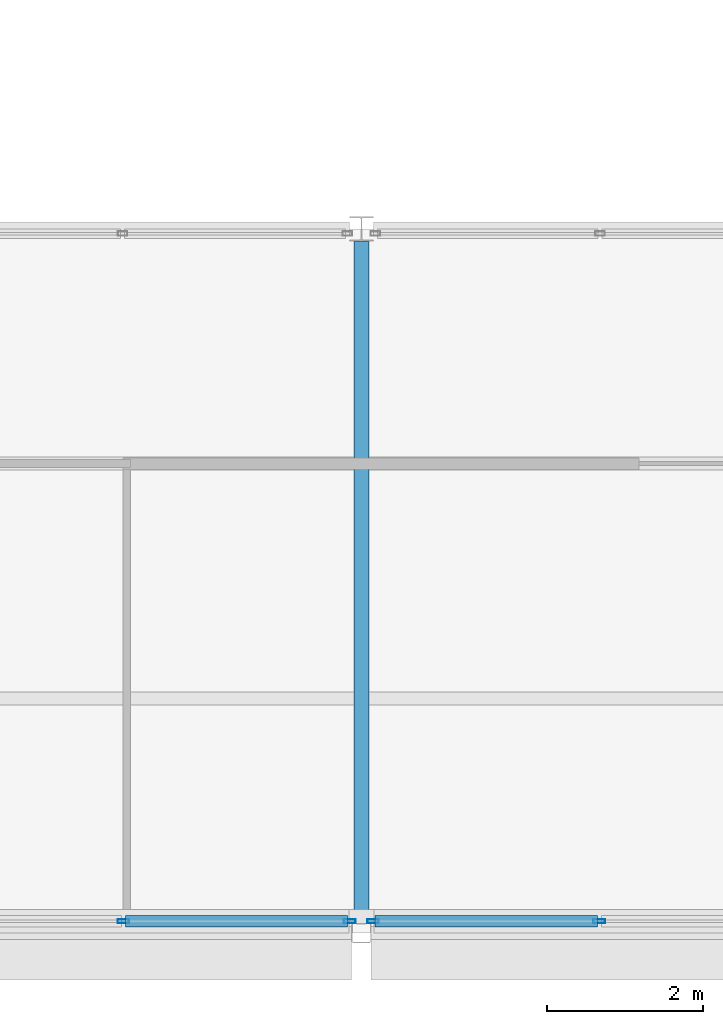
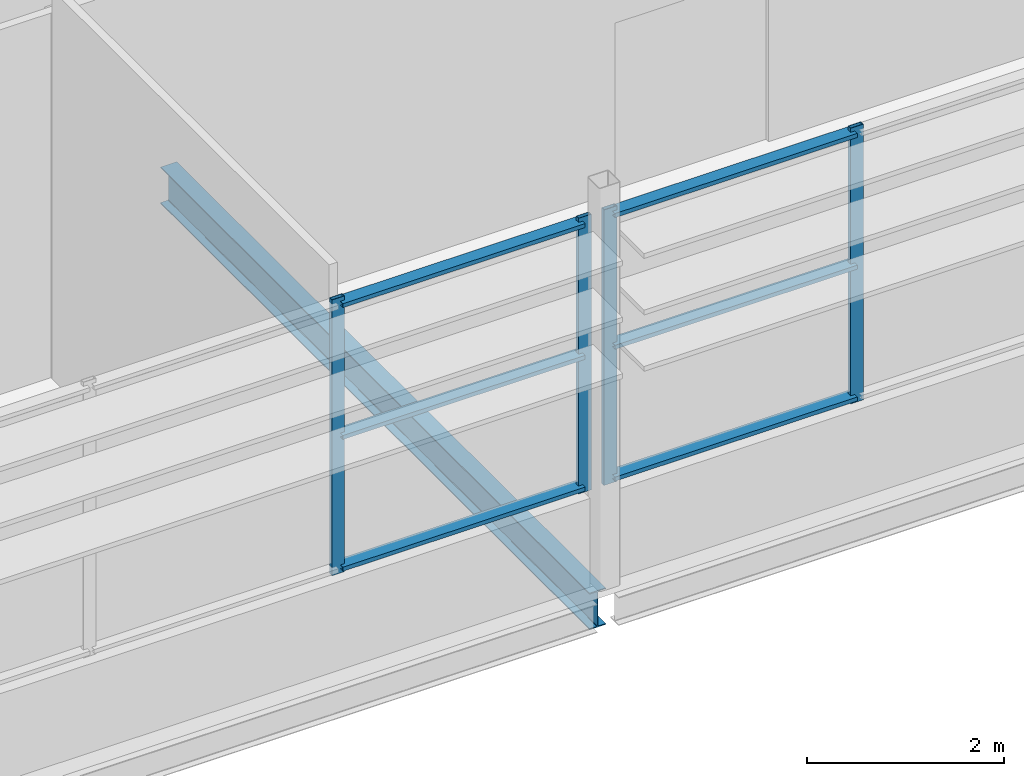
# One storey, part 28 of 61: 10 members, 1 beam, 2 elements without a shape of their own.
"""IFC4 building model written with IfcOpenShell, lengths in metres."""

from ifc_helpers import new_model, si_unit, direction, frame, origin, origin_2d, place, context, subcontext, project, spatial, hollow_rectangle, i_section, extrude, material, layer, layer_set, material_profile, profile_set, type_object, element, aggregate, save


model = new_model("IFC4")

# Units and contexts
model_context = context("Model", 3, precision=1e-05, world=origin(), true_north=direction((0.0, 1.0)))
body_context = subcontext(model_context, "Body", "Model", "MODEL_VIEW")
ifc_project = project(units=[si_unit("LENGTHUNIT", "METRE"), si_unit("AREAUNIT", "SQUARE_METRE"), si_unit("VOLUMEUNIT", "CUBIC_METRE"), si_unit("PLANEANGLEUNIT", "RADIAN"), si_unit("MASSUNIT", "GRAM", prefix="KILO")], contexts=[model_context])

# Site, building, storey
site_placement = place(None, origin())
site = spatial("IfcSite", under=ifc_project, at=site_placement, CompositionType="ELEMENT")
building_placement = place(site_placement, origin())
building = spatial("IfcBuilding", under=site, at=building_placement, Name="Shorebreak Coast Museum", CompositionType="ELEMENT")
storey_placement = place(building_placement, frame((0.0, 0.0, 26.0)))
storey = spatial("IfcBuildingStorey", under=building, at=storey_placement, Name="L04", CompositionType="ELEMENT", Elevation=26.0)

# Beam
ifc_material_1 = material(Name="Steel Grade 300", Category="steel")
ifc_material_profile_1 = material_profile(ifc_material_1, i_section(OverallWidth=0.18994140625, OverallDepth=0.453857421875, WebThickness=0.008544921875, FlangeThickness=0.0126953125, FilletRadius=0.011474609375, at=origin_2d()), Name="460UB67.1")
ifc_profile_set_1 = profile_set([ifc_material_profile_1], Name="Steel Grade 300")
beam_type = type_object("IfcBeamType", Name="Floor girder north-south 460UB67.1", PredefinedType="BEAM", material=ifc_profile_set_1)
beam_placement = place(storey_placement, frame((90.0, 54.125, -0.40185546875), z_axis=(0.0, 1.0, 0.0), x_axis=(-1.0, 0.0, 0.0)))
element("IfcBeam", 1, at=beam_placement, inside=storey, type_object=beam_type, Name="Floor girder north-south L04 11G", PredefinedType="BEAM", context=body_context, shape_type="SweptSolid", body=[
    extrude(i_section(OverallWidth=0.18994140625, OverallDepth=0.453857421875, WebThickness=0.008544921875, FlangeThickness=0.0126953125, FilletRadius=0.011474609375, at=origin_2d()), origin(), (0.0, 0.0, 1.0), 8.714599609375),
])

# Curtain wall, members
ifc_material_2 = material(Name="Aluminium", Category="aluminium")
ifc_layer = layer(ifc_material_2, 0.14990234375)
ifc_layer_set = layer_set([ifc_layer], Name="Aluminium")
curtain_wall_type = type_object("IfcCurtainWallType", Name="Storefront curtain wall", PredefinedType="NOTDEFINED", material=ifc_layer_set)
curtain_wall_1_placement = place(storey_placement, origin())
curtain_wall_1 = element("IfcCurtainWall", 2, at=curtain_wall_1_placement, inside=storey, type_object=curtain_wall_type, Name="Atrium Hall glazing L04 S 6", PredefinedType="NOTDEFINED")
ifc_material_3 = material(Name="Aluminium", Category="aluminium")
ifc_material_profile_2 = material_profile(ifc_material_3, hollow_rectangle(XDim=0.050048828125, YDim=0.14990234375, WallThickness=0.00390625, at=origin_2d()), Name="AL 150x50 RHS")
ifc_profile_set_2 = profile_set([ifc_material_profile_2], Name="Aluminium")
member_type_1 = type_object("IfcMemberType", Name="Storefront mullion 50 x 150", PredefinedType="MULLION", material=ifc_profile_set_2)
member_1_placement = place(storey_placement, frame((86.958251953125, 54.14990234375, 1.10009765625), z_axis=(0.0, 0.0, 1.0), x_axis=(0.0, 1.0, 0.0)))
member_1 = element("IfcMember", 3, at=member_1_placement, type_object=member_type_1, Name="CW5 mullion 3", PredefinedType="MULLION", context=body_context, shape_type="SweptSolid", body=[
    extrude(hollow_rectangle(XDim=0.050048828125, YDim=0.14990234375, WallThickness=0.00390625, at=origin_2d()), origin(), (0.0, 0.0, 1.0), 3.417724609375),
])
member_2_placement = place(storey_placement, frame((89.85009765625, 54.14990234375, 1.10009765625), z_axis=(0.0, 0.0, 1.0), x_axis=(0.0, 1.0, 0.0)))
member_2 = element("IfcMember", 4, at=member_2_placement, type_object=member_type_1, Name="CW5 mullion 4", PredefinedType="MULLION", context=body_context, shape_type="SweptSolid", body=[
    extrude(hollow_rectangle(XDim=0.050048828125, YDim=0.14990234375, WallThickness=0.00390625, at=origin_2d()), origin(), (0.0, 0.0, 1.0), 3.417724609375),
])

curtain_wall_2_placement = place(storey_placement, origin())
curtain_wall_2 = element("IfcCurtainWall", 5, at=curtain_wall_2_placement, inside=storey, type_object=curtain_wall_type, Name="Atrium Hall glazing L04 S 7", PredefinedType="NOTDEFINED")
member_3_placement = place(storey_placement, frame((90.14990234375, 54.14990234375, 1.10009765625), z_axis=(0.0, 0.0, 1.0), x_axis=(0.0, 1.0, 0.0)))
member_3 = element("IfcMember", 6, at=member_3_placement, type_object=member_type_1, Name="CW5 mullion 1", PredefinedType="MULLION", context=body_context, shape_type="SweptSolid", body=[
    extrude(hollow_rectangle(XDim=0.050048828125, YDim=0.14990234375, WallThickness=0.00390625, at=origin_2d()), origin(), (0.0, 0.0, 1.0), 3.417724609375),
])
member_4_placement = place(storey_placement, frame((93.041748046875, 54.14990234375, 1.10009765625), z_axis=(0.0, 0.0, 1.0), x_axis=(0.0, 1.0, 0.0)))
member_4 = element("IfcMember", 7, at=member_4_placement, type_object=member_type_1, Name="CW5 mullion 2", PredefinedType="MULLION", context=body_context, shape_type="SweptSolid", body=[
    extrude(hollow_rectangle(XDim=0.050048828125, YDim=0.14990234375, WallThickness=0.00390625, at=origin_2d()), origin(), (0.0, 0.0, 1.0), 3.417724609375),
])

# Member
ifc_material_4 = material(Name="Aluminium", Category="aluminium")
ifc_material_profile_3 = material_profile(ifc_material_4, hollow_rectangle(XDim=0.14990234375, YDim=0.050048828125, WallThickness=0.00390625, at=origin_2d()), Name="AL 50x150 RHS")
ifc_profile_set_3 = profile_set([ifc_material_profile_3], Name="Aluminium")
member_type_2 = type_object("IfcMemberType", Name="Storefront transom 150 x 50", PredefinedType="USERDEFINED", material=ifc_profile_set_3)
member_5_placement = place(storey_placement, frame((86.9833984375, 54.14990234375, 1.175048828125), z_axis=(1.0, 0.0, 0.0), x_axis=(0.0, 1.0, 0.0)))
member_5 = element("IfcMember", 8, at=member_5_placement, type_object=member_type_2, Name="CW5 transom 3.1", ObjectType="TRANSOM", PredefinedType="USERDEFINED", context=body_context, shape_type="SweptSolid", body=[
    extrude(hollow_rectangle(XDim=0.14990234375, YDim=0.050048828125, WallThickness=0.00390625, at=origin_2d()), origin(), (0.0, 0.0, 1.0), 2.841552734375),
])

member_6_placement = place(storey_placement, frame((86.9833984375, 54.14990234375, 2.808837890625), z_axis=(1.0, 0.0, 0.0), x_axis=(0.0, 1.0, 0.0)))
member_6 = element("IfcMember", 9, at=member_6_placement, type_object=member_type_2, Name="CW5 transom 3.2", ObjectType="TRANSOM", PredefinedType="USERDEFINED", context=body_context, shape_type="SweptSolid", body=[
    extrude(hollow_rectangle(XDim=0.14990234375, YDim=0.050048828125, WallThickness=0.00390625, at=origin_2d()), origin(), (0.0, 0.0, 1.0), 2.841552734375),
])

member_7_placement = place(storey_placement, frame((86.9833984375, 54.14990234375, 4.44287109375), z_axis=(1.0, 0.0, 0.0), x_axis=(0.0, 1.0, 0.0)))
member_7 = element("IfcMember", 10, at=member_7_placement, type_object=member_type_2, Name="CW5 transom 3.3", ObjectType="TRANSOM", PredefinedType="USERDEFINED", context=body_context, shape_type="SweptSolid", body=[
    extrude(hollow_rectangle(XDim=0.14990234375, YDim=0.050048828125, WallThickness=0.00390625, at=origin_2d()), origin(), (0.0, 0.0, 1.0), 2.841552734375),
])

aggregate(curtain_wall_1, [member_1, member_2, member_5, member_6, member_7])

member_8_placement = place(storey_placement, frame((90.175048828125, 54.14990234375, 1.175048828125), z_axis=(1.0, 0.0, 0.0), x_axis=(0.0, 1.0, 0.0)))
member_8 = element("IfcMember", 11, at=member_8_placement, type_object=member_type_2, Name="CW5 transom 1.1", ObjectType="TRANSOM", PredefinedType="USERDEFINED", context=body_context, shape_type="SweptSolid", body=[
    extrude(hollow_rectangle(XDim=0.14990234375, YDim=0.050048828125, WallThickness=0.00390625, at=origin_2d()), origin(), (0.0, 0.0, 1.0), 2.841552734375),
])

member_9_placement = place(storey_placement, frame((90.175048828125, 54.14990234375, 2.808837890625), z_axis=(1.0, 0.0, 0.0), x_axis=(0.0, 1.0, 0.0)))
member_9 = element("IfcMember", 12, at=member_9_placement, type_object=member_type_2, Name="CW5 transom 1.2", ObjectType="TRANSOM", PredefinedType="USERDEFINED", context=body_context, shape_type="SweptSolid", body=[
    extrude(hollow_rectangle(XDim=0.14990234375, YDim=0.050048828125, WallThickness=0.00390625, at=origin_2d()), origin(), (0.0, 0.0, 1.0), 2.841552734375),
])

member_10_placement = place(storey_placement, frame((90.175048828125, 54.14990234375, 4.44287109375), z_axis=(1.0, 0.0, 0.0), x_axis=(0.0, 1.0, 0.0)))
member_10 = element("IfcMember", 13, at=member_10_placement, type_object=member_type_2, Name="CW5 transom 1.3", ObjectType="TRANSOM", PredefinedType="USERDEFINED", context=body_context, shape_type="SweptSolid", body=[
    extrude(hollow_rectangle(XDim=0.14990234375, YDim=0.050048828125, WallThickness=0.00390625, at=origin_2d()), origin(), (0.0, 0.0, 1.0), 2.841552734375),
])

aggregate(curtain_wall_2, [member_3, member_4, member_8, member_9, member_10])

save(model, "model.ifc")
